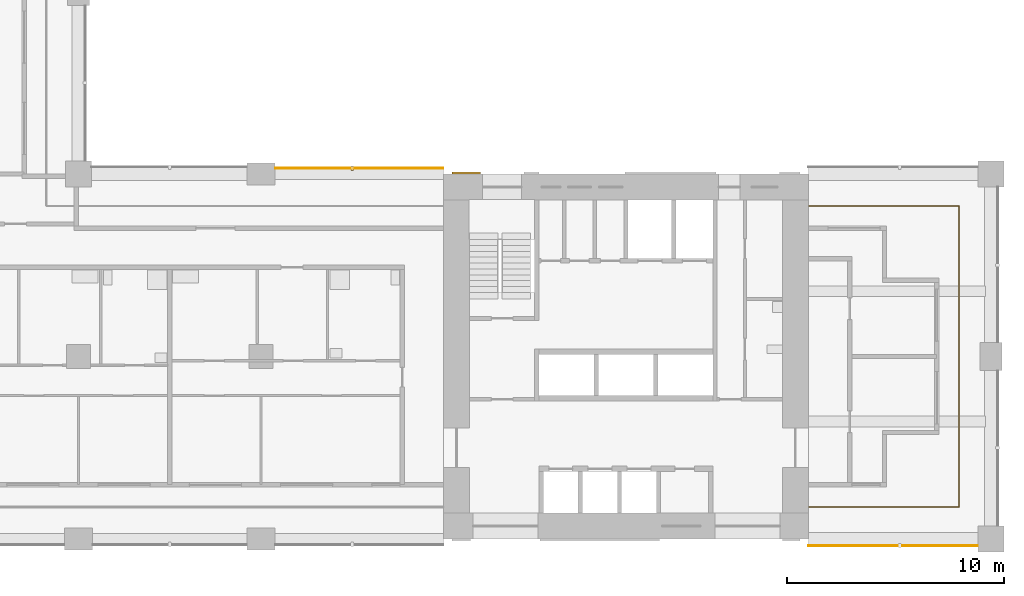
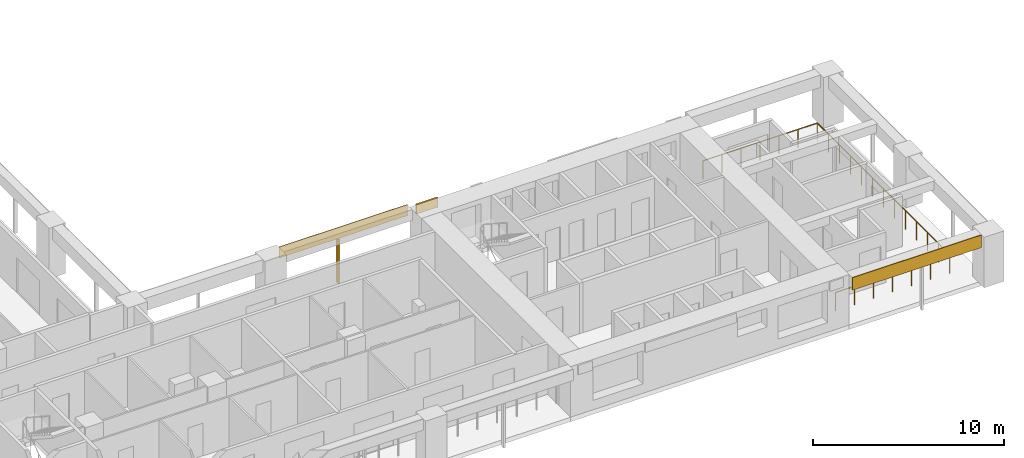
# One storey, part 12 of 17: 4 shading devices, 1 railing.
"""IFC4 building model written with IfcOpenShell, lengths in metres."""

from ifc_helpers import new_model, si_unit, direction, frame, origin, origin_2d, place, context, subcontext, project, spatial, rectangle, circle, extrude, material, layer, layer_set, material_profile, profile_set, type_object, element, save


model = new_model("IFC4")

# Units and contexts
model_context = context("Model", 3, precision=1e-05, world=origin(), true_north=direction((0.0, 1.0)))
body_context = subcontext(model_context, "Body", "Model", "MODEL_VIEW")
ifc_project = project(units=[si_unit("LENGTHUNIT", "METRE"), si_unit("AREAUNIT", "SQUARE_METRE"), si_unit("VOLUMEUNIT", "CUBIC_METRE"), si_unit("PLANEANGLEUNIT", "RADIAN"), si_unit("MASSUNIT", "GRAM", prefix="KILO")], contexts=[model_context])

# Site, building, storey
site_placement = place(None, origin())
site = spatial("IfcSite", under=ifc_project, at=site_placement, CompositionType="ELEMENT")
building_placement = place(site_placement, origin())
building = spatial("IfcBuilding", under=site, at=building_placement, Name="Vermilion Gate Residences", CompositionType="ELEMENT")
storey_placement = place(building_placement, frame((0.0, 0.0, 116.199951171875)))
storey = spatial("IfcBuildingStorey", under=building, at=storey_placement, Name="L29", CompositionType="ELEMENT", Elevation=116.199951171875)

# Railing
ifc_material_1 = material(Name="Stainless steel and toughened glass", Category="steel")
railing_type = type_object("IfcRailingType", Name="LOGGIA GUARD STEEL AND GLASS 1200", PredefinedType="GUARDRAIL", material=ifc_material_1)
railing_placement = place(storey_placement, frame((58.822021484375, 9.875, 0.0)))
element("IfcRailing", 1, at=railing_placement, inside=storey, type_object=railing_type, Name="Loggia guard", PredefinedType="GUARDRAIL", context=body_context, shape_type="SweptSolid", body=[
    extrude(circle(Radius=0.030029296875, at=origin_2d()), frame((0.0, 0.0, 1.169921875), z_axis=(1.0, 0.0, 0.0), x_axis=(0.0, 1.0, 0.0)), (0.0, 0.0, 1.0), 6.903076171875),
    extrude(circle(Radius=0.030029296875, at=origin_2d()), frame((6.903076171875, 0.0, 1.169921875), z_axis=(0.0, 1.0, 0.0), x_axis=(-1.0, 0.0, 0.0)), (0.0, 0.0, 1.0), 13.85009765625),
    extrude(circle(Radius=0.030029296875, at=origin_2d()), frame((6.903076171875, 13.85009765625, 1.169921875), z_axis=(-1.0, 0.0, 0.0), x_axis=(0.0, -1.0, 0.0)), (0.0, 0.0, 1.0), 6.903076171875),
    extrude(circle(Radius=0.02490234375, at=origin_2d()), origin(), (0.0, 0.0, 1.0), 1.139892578125),
    extrude(circle(Radius=0.02490234375, at=origin_2d()), frame((1.150390625, 0.0, 0.0)), (0.0, 0.0, 1.0), 1.139892578125),
    extrude(circle(Radius=0.02490234375, at=origin_2d()), frame((2.301025390625, 0.0, 0.0)), (0.0, 0.0, 1.0), 1.139892578125),
    extrude(circle(Radius=0.02490234375, at=origin_2d()), frame((3.45166015625, 0.0, 0.0)), (0.0, 0.0, 1.0), 1.139892578125),
    extrude(circle(Radius=0.02490234375, at=origin_2d()), frame((4.60205078125, 0.0, 0.0)), (0.0, 0.0, 1.0), 1.139892578125),
    extrude(circle(Radius=0.02490234375, at=origin_2d()), frame((5.75244140625, 0.0, 0.0)), (0.0, 0.0, 1.0), 1.139892578125),
    extrude(circle(Radius=0.02490234375, at=origin_2d()), frame((6.903076171875, 0.0, 0.0)), (0.0, 0.0, 1.0), 1.139892578125),
    extrude(circle(Radius=0.02490234375, at=origin_2d()), frame((6.903076171875, 1.154296875, 0.0)), (0.0, 0.0, 1.0), 1.139892578125),
    extrude(circle(Radius=0.02490234375, at=origin_2d()), frame((6.903076171875, 2.308349609375, 0.0)), (0.0, 0.0, 1.0), 1.139892578125),
    extrude(circle(Radius=0.02490234375, at=origin_2d()), frame((6.903076171875, 3.46240234375, 0.0)), (0.0, 0.0, 1.0), 1.139892578125),
    extrude(circle(Radius=0.02490234375, at=origin_2d()), frame((6.903076171875, 4.61669921875, 0.0)), (0.0, 0.0, 1.0), 1.139892578125),
    extrude(circle(Radius=0.02490234375, at=origin_2d()), frame((6.903076171875, 5.77099609375, 0.0)), (0.0, 0.0, 1.0), 1.139892578125),
    extrude(circle(Radius=0.02490234375, at=origin_2d()), frame((6.903076171875, 6.925048828125, 0.0)), (0.0, 0.0, 1.0), 1.139892578125),
    extrude(circle(Radius=0.02490234375, at=origin_2d()), frame((6.903076171875, 8.0791015625, 0.0)), (0.0, 0.0, 1.0), 1.139892578125),
    extrude(circle(Radius=0.02490234375, at=origin_2d()), frame((6.903076171875, 9.2333984375, 0.0)), (0.0, 0.0, 1.0), 1.139892578125),
    extrude(circle(Radius=0.02490234375, at=origin_2d()), frame((6.903076171875, 10.3876953125, 0.0)), (0.0, 0.0, 1.0), 1.139892578125),
    extrude(circle(Radius=0.02490234375, at=origin_2d()), frame((6.903076171875, 11.541748046875, 0.0)), (0.0, 0.0, 1.0), 1.139892578125),
    extrude(circle(Radius=0.02490234375, at=origin_2d()), frame((6.903076171875, 12.69580078125, 0.0)), (0.0, 0.0, 1.0), 1.139892578125),
    extrude(circle(Radius=0.02490234375, at=origin_2d()), frame((6.903076171875, 13.85009765625, 0.0)), (0.0, 0.0, 1.0), 1.139892578125),
    extrude(circle(Radius=0.02490234375, at=origin_2d()), frame((5.75244140625, 13.85009765625, 0.0)), (0.0, 0.0, 1.0), 1.139892578125),
    extrude(circle(Radius=0.02490234375, at=origin_2d()), frame((4.60205078125, 13.85009765625, 0.0)), (0.0, 0.0, 1.0), 1.139892578125),
    extrude(circle(Radius=0.02490234375, at=origin_2d()), frame((3.45166015625, 13.85009765625, 0.0)), (0.0, 0.0, 1.0), 1.139892578125),
    extrude(circle(Radius=0.02490234375, at=origin_2d()), frame((2.301025390625, 13.85009765625, 0.0)), (0.0, 0.0, 1.0), 1.139892578125),
    extrude(circle(Radius=0.02490234375, at=origin_2d()), frame((1.150390625, 13.85009765625, 0.0)), (0.0, 0.0, 1.0), 1.139892578125),
    extrude(circle(Radius=0.02490234375, at=origin_2d()), frame((0.0, 13.85009765625, 0.0)), (0.0, 0.0, 1.0), 1.139892578125),
])

# Shading devices
ifc_material_2 = material(Name="Perforated terracotta", Category="masonry")
ifc_layer_1 = layer(ifc_material_2, 0.0400390625)
ifc_layer_set_1 = layer_set([ifc_layer_1], Name="PERFORATED TERRACOTTA SCREEN 40")
shading_device_type_1 = type_object("IfcShadingDeviceType", Name="PERFORATED TERRACOTTA SCREEN 40", PredefinedType="SHUTTER", material=ifc_layer_set_1)
shading_device_1_placement = place(storey_placement, frame((62.699951171875, 8.080078125, 2.419921875), z_axis=(0.0, 0.0, 1.0), x_axis=(1.0, 0.0, 0.0)))
element("IfcShadingDevice", 2, at=shading_device_1_placement, inside=storey, type_object=shading_device_type_1, Name="SCREEN", PredefinedType="SHUTTER", context=body_context, shape_type="SweptSolid", body=[
    extrude(rectangle(XDim=7.800048828125, YDim=0.0400390625, at=origin_2d()), origin(), (0.0, 0.0, 1.0), 0.800048828125),
])
shading_device_2_placement = place(storey_placement, frame((38.125, 25.469970703125, 2.52001953125), z_axis=(0.0, 0.0, 1.0), x_axis=(-1.0, 0.0, 0.0)))
element("IfcShadingDevice", 3, at=shading_device_2_placement, inside=storey, type_object=shading_device_type_1, Name="SCREEN", PredefinedType="SHUTTER", context=body_context, shape_type="SweptSolid", body=[
    extrude(rectangle(XDim=7.75, YDim=0.0400390625, at=origin_2d()), origin(), (0.0, 0.0, 1.0), 0.699951171875),
])
ifc_material_3 = material(Name="Extruded terracotta", Category="masonry")
ifc_material_profile = material_profile(ifc_material_3, rectangle(XDim=0.199951171875, YDim=0.10009765625, at=origin_2d()), Name="BAGUETTE 100 X 200")
ifc_profile_set = profile_set([ifc_material_profile], Name="Extruded terracotta")
shading_device_type_2 = type_object("IfcShadingDeviceType", Name="TERRACOTTA BAGUETTE 100 X 200", PredefinedType="JALOUSIE", material=ifc_profile_set)
shading_device_3_placement = place(storey_placement, frame((37.800048828125, 25.449951171875, -0.280029296875), z_axis=(0.0, 0.0, 1.0), x_axis=(0.0, -1.0, 0.0)))
element("IfcShadingDevice", 4, at=shading_device_3_placement, inside=storey, type_object=shading_device_type_2, Name="BAGUETTE", PredefinedType="JALOUSIE", context=body_context, shape_type="SweptSolid", body=[
    extrude(rectangle(XDim=0.199951171875, YDim=0.10009765625, at=origin_2d()), origin(), (0.0, 0.0, 1.0), 2.800048828125),
])
ifc_material_4 = material(Name="Extruded terracotta", Category="masonry")
ifc_layer_2 = layer(ifc_material_4, 0.10009765625)
ifc_layer_set_2 = layer_set([ifc_layer_2], Name="TERRACOTTA SPANDREL BAND 600 X 100")
shading_device_type_3 = type_object("IfcShadingDeviceType", Name="TERRACOTTA SPANDREL BAND 600 X 100", PredefinedType="USERDEFINED", material=ifc_layer_set_2)
shading_device_4_placement = place(storey_placement, frame((43.050048828125, 25.25, 2.6201171875), z_axis=(0.0, 0.0, 1.0), x_axis=(1.0, 0.0, 0.0)))
element("IfcShadingDevice", 5, at=shading_device_4_placement, inside=storey, type_object=shading_device_type_3, Name="SPANDREL BAND", ObjectType="BAND", PredefinedType="USERDEFINED", context=body_context, shape_type="SweptSolid", body=[
    extrude(rectangle(XDim=1.300048828125, YDim=0.10009765625, at=origin_2d()), origin(), (0.0, 0.0, 1.0), 0.60009765625),
])

save(model, "model.ifc")
